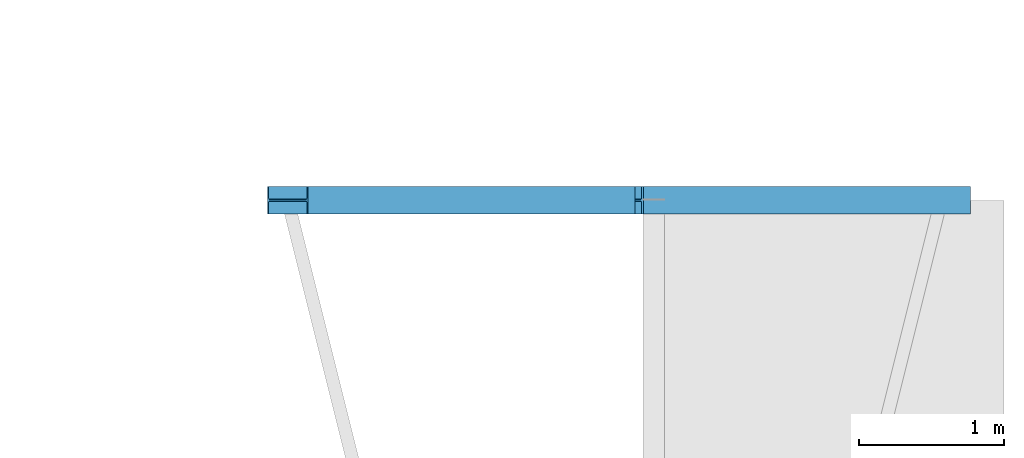
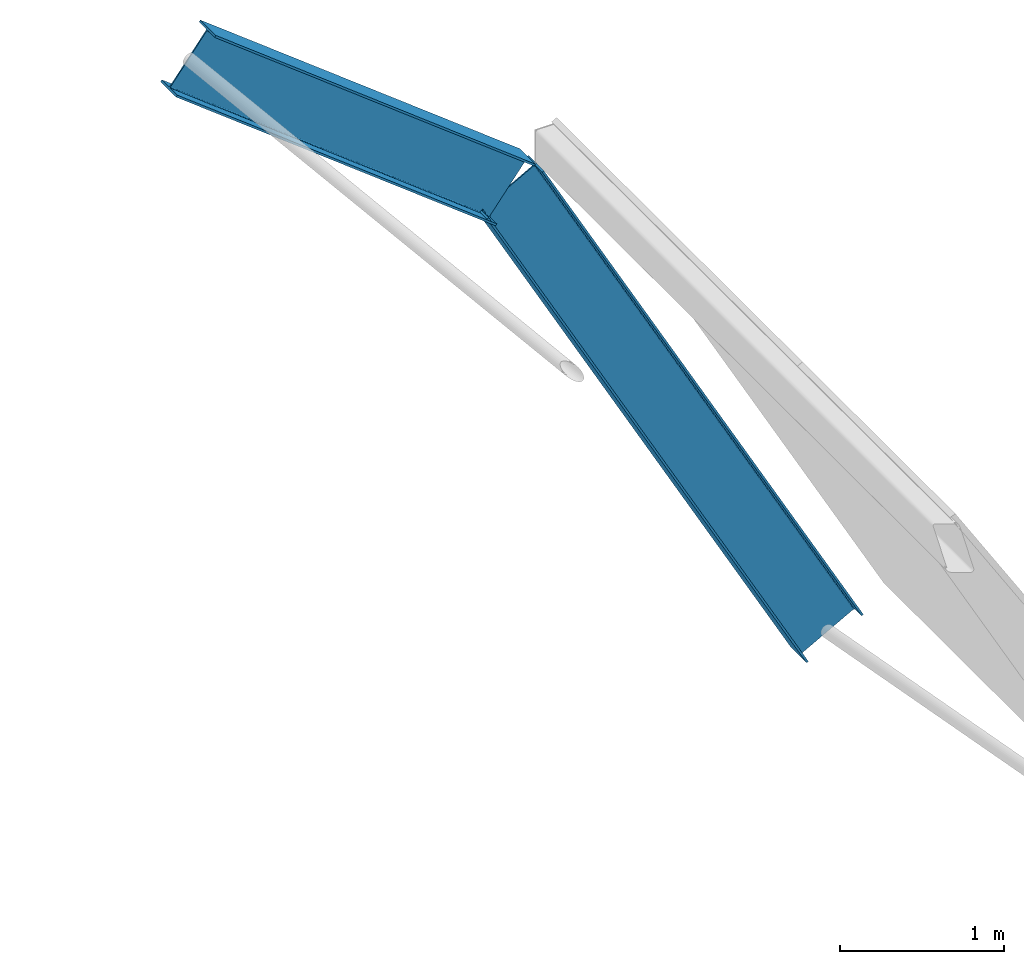
# One storey, part 25 of 62: 2 beams.
"""IFC4 building model written with IfcOpenShell, lengths in metres."""

import ifcopenshell
import ifcopenshell.guid

model = None  # the IFC model being written
_history = None  # IfcOwnerHistory: only IFC2X3 demands one
_inside = {}  # id of a spatial element -> (the spatial element, [elements in it])
_under = {}  # id of a project, library or spatial element -> (it, [spatial elements below it])
_declared = {}  # id of a project -> (the project, [libraries it declares])
_typed = {}  # id of a type object -> (the type object, [elements of that type])
_made_of = {}  # id of a material, layer set ... -> (it, [elements and type objects made of it])


def new_model(schema):
    """Start an empty IFC model of exactly this schema.

    Asked for "IFC4X3", IfcOpenShell would pick the latest addendum, in which some entities
    have other attributes; the version numbers below select the first issue.
    IFC2X3 requires an IfcOwnerHistory on every rooted entity: one is made here for all.
    """
    global model, _history
    if schema == "IFC4X3":
        model = ifcopenshell.file(schema_version=(4, 3, 0, 0))
    else:
        model = ifcopenshell.file(schema=schema)
    _inside.clear()
    _under.clear()
    _declared.clear()
    _typed.clear()
    _made_of.clear()
    _history = None
    if model.schema == "IFC2X3":
        org = make("IfcOrganization", Name="unknown")
        user = make(
            "IfcPersonAndOrganization",
            ThePerson=make("IfcPerson", FamilyName="unknown"),
            TheOrganization=org,
        )
        app = make(
            "IfcApplication",
            ApplicationDeveloper=org,
            Version="unknown",
            ApplicationFullName="unknown",
            ApplicationIdentifier="unknown",
        )
        _history = make(
            "IfcOwnerHistory",
            OwningUser=user,
            OwningApplication=app,
            ChangeAction="ADDED",
            CreationDate=0,
        )
    return model


def make(cls, **values):
    """One entity of the class cls with the attributes given. An attribute that is None is left unset."""
    return model.create_entity(
        cls, **{name: value for name, value in values.items() if value is not None}
    )


def rooted(cls, **values):
    """An entity with a GlobalId (a new one), such as an element, a storey or a relation."""
    return make(cls, GlobalId=ifcopenshell.guid.new(), OwnerHistory=_history, **values)


def si_unit(unit_type, name, prefix=None):
    """IfcSIUnit, for example si_unit("LENGTHUNIT", "METRE", prefix="MILLI")."""
    return make("IfcSIUnit", UnitType=unit_type, Prefix=prefix, Name=name)


def assignment(units):
    """IfcUnitAssignment: the units of a project."""
    return None if units is None else make("IfcUnitAssignment", Units=units)


def point(xyz):
    """IfcCartesianPoint."""
    return None if xyz is None else make("IfcCartesianPoint", Coordinates=xyz)


def direction(xyz):
    """IfcDirection."""
    return None if xyz is None else make("IfcDirection", DirectionRatios=xyz)


def frame(location, z_axis=None, x_axis=None):
    """IfcAxis2Placement3D, a coordinate frame: its origin and axes. An axis left out is left unset."""
    return make(
        "IfcAxis2Placement3D",
        Location=point(location),
        Axis=direction(z_axis),
        RefDirection=direction(x_axis),
    )


def frame_2d(location, x_axis=None):
    """IfcAxis2Placement2D, a coordinate frame in the plane: its origin and x axis."""
    return make(
        "IfcAxis2Placement2D", Location=point(location), RefDirection=direction(x_axis)
    )


def origin():
    """The frame at (0, 0, 0) with its axes left unset."""
    return frame((0.0, 0.0, 0.0))


def origin_2d():
    """The frame at (0, 0) in the plane with its x axis left unset."""
    return frame_2d((0.0, 0.0))


def place(relative_to, where):
    """IfcLocalPlacement: puts the frame where relative to a parent placement (None: the world)."""
    return make(
        "IfcLocalPlacement", PlacementRelTo=relative_to, RelativePlacement=where
    )


def context(
    kind, dimensions, precision=None, world=None, true_north=None, identifier=None
):
    """IfcGeometricRepresentationContext, for example the 3D "Model" context."""
    return make(
        "IfcGeometricRepresentationContext",
        ContextIdentifier=identifier,
        ContextType=kind,
        CoordinateSpaceDimension=dimensions,
        Precision=precision,
        WorldCoordinateSystem=world,
        TrueNorth=true_north,
    )


def subcontext(parent, identifier, kind, view, scale=None):
    """IfcGeometricRepresentationSubContext, for example "Body" below "Model"."""
    return make(
        "IfcGeometricRepresentationSubContext",
        ContextIdentifier=identifier,
        ContextType=kind,
        ParentContext=parent,
        TargetScale=scale,
        TargetView=view,
    )


def project(units=None, contexts=None):
    """IfcProject with its units and contexts."""
    return rooted(
        "IfcProject",
        Name="project",
        RepresentationContexts=contexts,
        UnitsInContext=assignment(units),
    )


def spatial(cls, under=None, at=None, **own):
    """A site, building, storey or space (cls), placed at a placement, below another one or the project."""
    s = rooted(cls, ObjectPlacement=at, **own)
    if under is not None:
        _under.setdefault(under.id(), (under, []))[1].append(s)
    return s


def profile(cls, at=None, kind="AREA", **sizes):
    """A parametric profile (cls). Its sizes go by their IFC names, for example OverallWidth=200.0."""
    return make(cls, ProfileType=kind, Position=at, **sizes)


def i_section(**sizes):
    """IfcIShapeProfileDef."""
    return profile("IfcIShapeProfileDef", **sizes)


def extrude(swept, where, along, depth):
    """IfcExtrudedAreaSolid: the profile swept, set in the frame where, extruded along a direction by depth."""
    return make(
        "IfcExtrudedAreaSolid",
        SweptArea=swept,
        Position=where,
        ExtrudedDirection=direction(along),
        Depth=depth,
    )


def shape(context_of_items, identifier, shape_type, items):
    """IfcShapeRepresentation: the items that make up one representation, for example the "Body"."""
    return make(
        "IfcShapeRepresentation",
        ContextOfItems=context_of_items,
        RepresentationIdentifier=identifier,
        RepresentationType=shape_type,
        Items=items,
    )


def material(Name=None, Category=None):
    """IfcMaterial."""
    return make("IfcMaterial", Name=Name, Category=Category)


def material_profile(
    of_material, cross_section, Name=None, Category=None, Priority=None
):
    """IfcMaterialProfile: a cross section and its material."""
    return make(
        "IfcMaterialProfile",
        Name=Name,
        Material=of_material,
        Profile=cross_section,
        Priority=Priority,
        Category=Category,
    )


def profile_set(profiles, Name=None, composite=None):
    """IfcMaterialProfileSet."""
    return make(
        "IfcMaterialProfileSet",
        Name=Name,
        MaterialProfiles=profiles,
        CompositeProfile=composite,
    )


def made_of(thing, what):
    """Note that an element or type object is made of a material, layer set ...; save() writes the relation."""
    if what is not None:
        _made_of.setdefault(what.id(), (what, []))[1].append(thing)
    return thing


def type_object(cls, material=None, **own):
    """A type object (cls), such as IfcWallType, which elements share."""
    return made_of(rooted(cls, **own), material)


def element(
    cls,
    number,
    at=None,
    inside=None,
    cuts=None,
    type_object=None,
    material=None,
    context=None,
    identifier="Body",
    shape_type=None,
    held_by="IfcProductDefinitionShape",
    body=None,
    shapes=None,
    **own,
):
    """One element of the class cls, such as IfcWall. Its Tag is "e" and its number.

    at: its placement. inside: the storey or other place that contains it. cuts: it is an
    opening in that element (IfcRelVoidsElement). A single representation is given by context,
    identifier, shape_type and body (its items); several are given by shapes. held_by: the class
    of the entity that holds the representations. save() writes the other relations.
    """
    e = rooted(cls, Tag="e%d" % number, ObjectPlacement=at, **own)
    if body is not None:
        shapes = [shape(context, identifier, shape_type, body)]
    if shapes is not None:
        e.Representation = make(held_by, Representations=shapes)
    if inside is not None:
        _inside.setdefault(inside.id(), (inside, []))[1].append(e)
    if cuts is not None:
        rooted(
            "IfcRelVoidsElement", RelatingBuildingElement=cuts, RelatedOpeningElement=e
        )
    if type_object is not None:
        _typed.setdefault(type_object.id(), (type_object, []))[1].append(e)
    return made_of(e, material)


def aggregate(whole, parts):
    """IfcRelAggregates: a whole, such as a stair, and the parts it consists of."""
    return rooted("IfcRelAggregates", RelatingObject=whole, RelatedObjects=parts)


def save(model, path):
    """Write the relations noted so far, then the file.

    IfcRelAggregates (storeys below a building ...), IfcRelContainedInSpatialStructure (elements
    in a storey), IfcRelDefinesByType, IfcRelAssociatesMaterial and IfcRelDeclares: one each for
    every whole, place, type object, material and project.
    """
    for whole, parts in _under.values():
        aggregate(whole, parts)
    for where, things in _inside.values():
        rooted(
            "IfcRelContainedInSpatialStructure",
            RelatedElements=things,
            RelatingStructure=where,
        )
    for kind, things in _typed.values():
        rooted("IfcRelDefinesByType", RelatedObjects=things, RelatingType=kind)
    for what, things in _made_of.values():
        rooted("IfcRelAssociatesMaterial", RelatedObjects=things, RelatingMaterial=what)
    for by, libraries in _declared.values():
        rooted("IfcRelDeclares", RelatingContext=by, RelatedDefinitions=libraries)
    model.write(path)


model = new_model("IFC4")

# Units and contexts
model_context = context("Model", 3, precision=1e-05, world=origin(), true_north=direction((0.0, 1.0)))
body_context = subcontext(model_context, "Body", "Model", "MODEL_VIEW")
ifc_project = project(units=[si_unit("LENGTHUNIT", "METRE"), si_unit("AREAUNIT", "SQUARE_METRE"), si_unit("VOLUMEUNIT", "CUBIC_METRE"), si_unit("PLANEANGLEUNIT", "RADIAN"), si_unit("MASSUNIT", "GRAM", prefix="KILO")], contexts=[model_context])

# Site, building, storey
site_placement = place(None, origin())
site = spatial("IfcSite", under=ifc_project, at=site_placement, CompositionType="ELEMENT")
building_placement = place(site_placement, origin())
building = spatial("IfcBuilding", under=site, at=building_placement, Name="Hortulan Conservatory and Botanical Research Centre", CompositionType="ELEMENT")
storey_placement = place(building_placement, frame((0.0, 0.0, 15.0)))
storey = spatial("IfcBuildingStorey", under=building, at=storey_placement, Name="L03", CompositionType="ELEMENT", Elevation=15.0)

# Beams
ifc_material = material(Name="Steel Grade 300PLUS (AS/NZS 3679.1, 280 MPa minimum yield)", Category="steel")
ifc_material_profile = material_profile(ifc_material, i_section(OverallWidth=0.18994140625, OverallDepth=0.45703125, WebThickness=0.009033203125, FlangeThickness=0.014404296875, FilletRadius=0.011474609375, at=origin_2d()), Name="460UB74.6")
ifc_profile_set = profile_set([ifc_material_profile], Name="Steel Grade 300PLUS (AS/NZS 3679.1, 280 MPa minimum yield)")
beam_type = type_object("IfcBeamType", Name="Vault Arch 460UB74.6", PredefinedType="BEAM", material=ifc_profile_set)
beam_1_placement = place(storey_placement, frame((103.5, 72.0, 4.8369140625), z_axis=(0.790057951817, 0.0, -0.613032162917), x_axis=(0.0, 1.0, 0.0)))
element("IfcBeam", 1, at=beam_1_placement, inside=storey, type_object=beam_type, Name="Vault arch 5 chord 7", PredefinedType="BEAM", context=body_context, shape_type="SweptSolid", body=[
    extrude(i_section(OverallWidth=0.18994140625, OverallDepth=0.45703125, WebThickness=0.009033203125, FlangeThickness=0.014404296875, FilletRadius=0.011474609375, at=origin_2d()), origin(), (0.0, 0.0, 1.0), 2.847900390625),
])
beam_2_placement = place(storey_placement, frame((105.75, 72.0, 3.091064453125), z_axis=(0.481904698653, 0.0, -0.876223636646), x_axis=(0.0, 1.0, 0.0)))
element("IfcBeam", 2, at=beam_2_placement, inside=storey, type_object=beam_type, Name="Vault arch 5 chord 8", PredefinedType="BEAM", context=body_context, shape_type="SweptSolid", body=[
    extrude(i_section(OverallWidth=0.18994140625, OverallDepth=0.45703125, WebThickness=0.009033203125, FlangeThickness=0.014404296875, FilletRadius=0.011474609375, at=origin_2d()), origin(), (0.0, 0.0, 1.0), 4.6689453125),
])

save(model, "model.ifc")
